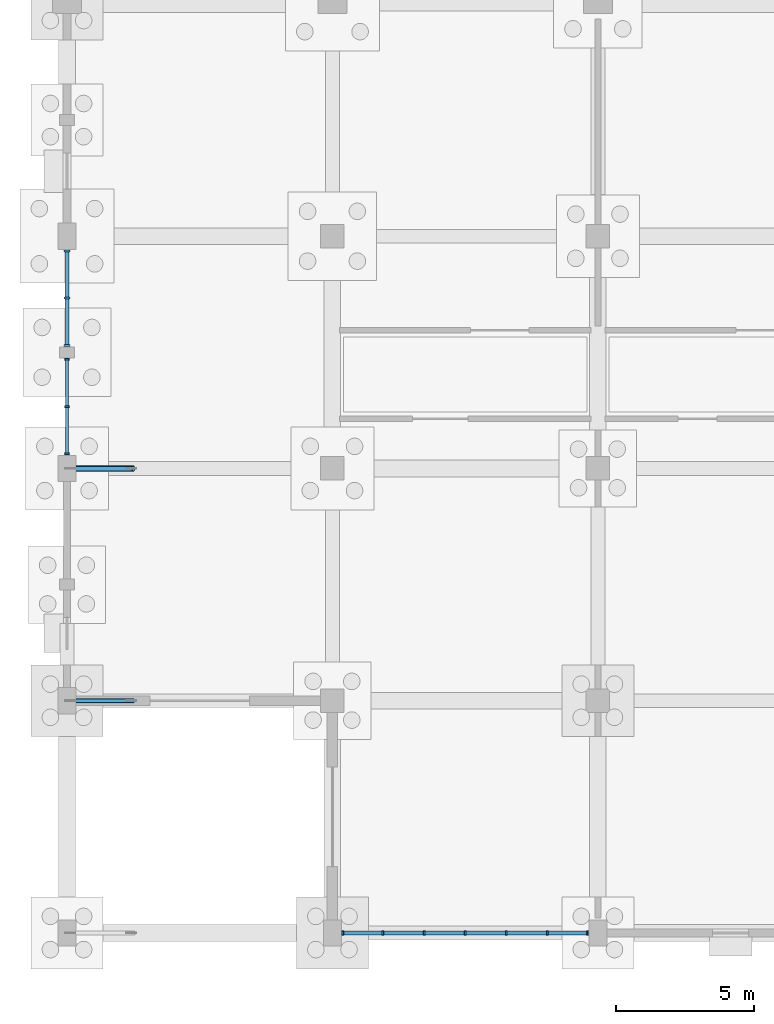
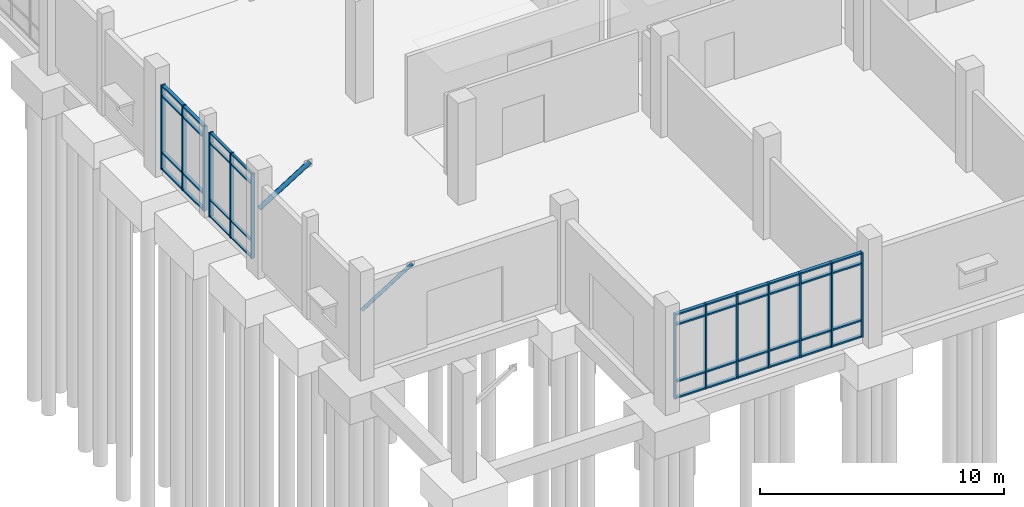
# One storey, part 27 of 136: 55 members, 3 elements without a shape of their own.
"""IFC4 building model written with IfcOpenShell, lengths in metres."""

from ifc_helpers import new_model, si_unit, direction, frame, origin, origin_2d, place, context, subcontext, project, spatial, rectangle, hollow_circle, extrude, material, material_profile, profile_set, type_object, element, aggregate, save


model = new_model("IFC4")

# Units and contexts
model_context = context("Model", 3, precision=1e-05, world=origin(), true_north=direction((0.0, 1.0)))
body_context = subcontext(model_context, "Body", "Model", "MODEL_VIEW")
ifc_project = project(units=[si_unit("LENGTHUNIT", "METRE"), si_unit("AREAUNIT", "SQUARE_METRE"), si_unit("VOLUMEUNIT", "CUBIC_METRE"), si_unit("PLANEANGLEUNIT", "RADIAN"), si_unit("MASSUNIT", "GRAM", prefix="KILO")], contexts=[model_context])

# Site, building, storey
site_placement = place(None, origin())
site = spatial("IfcSite", under=ifc_project, at=site_placement, CompositionType="ELEMENT")
building_placement = place(site_placement, origin())
building = spatial("IfcBuilding", under=site, at=building_placement, Name="Oolite Switchyard Hospital", CompositionType="ELEMENT")
storey_placement = place(building_placement, origin())
storey = spatial("IfcBuildingStorey", under=building, at=storey_placement, Name="L00", CompositionType="ELEMENT", Elevation=0.0)

# Curtain wall, members
ifc_material_1 = material(Name="Thermally broken aluminum frame with laminated impact glazing", Category="aluminium")
curtain_wall_type_1 = type_object("IfcCurtainWallType", Name="CW-UNIT-96X51", PredefinedType="USERDEFINED", material=ifc_material_1)
curtain_wall_1_placement = place(storey_placement, origin())
curtain_wall_1 = element("IfcCurtainWall", 1, at=curtain_wall_1_placement, inside=storey, type_object=curtain_wall_type_1, Name="L00 Unitised Curtain Wall 1", ObjectType="UNITISED", PredefinedType="USERDEFINED")
ifc_material_2 = material(Name="Aluminium 6063-T6", Category="aluminium")
ifc_material_profile_1 = material_profile(ifc_material_2, rectangle(XDim=0.179931640625, YDim=0.070068359375, at=origin_2d()), Name="CWM70X180")
ifc_profile_set_1 = profile_set([ifc_material_profile_1], Name="Aluminium 6063-T6")
member_type_1 = type_object("IfcMemberType", Name="CW-MUL-220", PredefinedType="MULLION", material=ifc_profile_set_1)
member_1_placement = place(storey_placement, frame((18.824951171875, 0.0, 0.0), z_axis=(0.0, 0.0, 1.0), x_axis=(0.0, -1.0, 0.0)))
member_1 = element("IfcMember", 2, at=member_1_placement, type_object=member_type_1, Name="CW-01 mullion 1", PredefinedType="MULLION", context=body_context, shape_type="SweptSolid", body=[
    extrude(rectangle(XDim=0.179931640625, YDim=0.070068359375, at=origin_2d()), origin(), (0.0, 0.0, 1.0), 4.239990234375),
])
member_2_placement = place(storey_placement, frame((17.373291015625, 0.0, 0.0), z_axis=(0.0, 0.0, 1.0), x_axis=(0.0, -1.0, 0.0)))
member_2 = element("IfcMember", 3, at=member_2_placement, type_object=member_type_1, Name="CW-01 mullion 2", PredefinedType="MULLION", context=body_context, shape_type="SweptSolid", body=[
    extrude(rectangle(XDim=0.179931640625, YDim=0.070068359375, at=origin_2d()), origin(), (0.0, 0.0, 1.0), 4.239990234375),
])
member_3_placement = place(storey_placement, frame((15.88671875, 0.0, 0.0), z_axis=(0.0, 0.0, 1.0), x_axis=(0.0, -1.0, 0.0)))
member_3 = element("IfcMember", 4, at=member_3_placement, type_object=member_type_1, Name="CW-01 mullion 3", PredefinedType="MULLION", context=body_context, shape_type="SweptSolid", body=[
    extrude(rectangle(XDim=0.179931640625, YDim=0.070068359375, at=origin_2d()), origin(), (0.0, 0.0, 1.0), 4.239990234375),
])
member_4_placement = place(storey_placement, frame((14.39990234375, 0.0, 0.0), z_axis=(0.0, 0.0, 1.0), x_axis=(0.0, -1.0, 0.0)))
member_4 = element("IfcMember", 5, at=member_4_placement, type_object=member_type_1, Name="CW-01 mullion 4", PredefinedType="MULLION", context=body_context, shape_type="SweptSolid", body=[
    extrude(rectangle(XDim=0.179931640625, YDim=0.070068359375, at=origin_2d()), origin(), (0.0, 0.0, 1.0), 4.239990234375),
])
member_5_placement = place(storey_placement, frame((12.913330078125, 0.0, 0.0), z_axis=(0.0, 0.0, 1.0), x_axis=(0.0, -1.0, 0.0)))
member_5 = element("IfcMember", 6, at=member_5_placement, type_object=member_type_1, Name="CW-01 mullion 5", PredefinedType="MULLION", context=body_context, shape_type="SweptSolid", body=[
    extrude(rectangle(XDim=0.179931640625, YDim=0.070068359375, at=origin_2d()), origin(), (0.0, 0.0, 1.0), 4.239990234375),
])
member_6_placement = place(storey_placement, frame((11.4267578125, 0.0, 0.0), z_axis=(0.0, 0.0, 1.0), x_axis=(0.0, -1.0, 0.0)))
member_6 = element("IfcMember", 7, at=member_6_placement, type_object=member_type_1, Name="CW-01 mullion 6", PredefinedType="MULLION", context=body_context, shape_type="SweptSolid", body=[
    extrude(rectangle(XDim=0.179931640625, YDim=0.070068359375, at=origin_2d()), origin(), (0.0, 0.0, 1.0), 4.239990234375),
])
member_7_placement = place(storey_placement, frame((9.97509765625, 0.0, 0.0), z_axis=(0.0, 0.0, 1.0), x_axis=(0.0, -1.0, 0.0)))
member_7 = element("IfcMember", 8, at=member_7_placement, type_object=member_type_1, Name="CW-01 mullion 7", PredefinedType="MULLION", context=body_context, shape_type="SweptSolid", body=[
    extrude(rectangle(XDim=0.179931640625, YDim=0.070068359375, at=origin_2d()), origin(), (0.0, 0.0, 1.0), 4.239990234375),
])

curtain_wall_type_2 = type_object("IfcCurtainWallType", Name="CW-UNIT-84X51", PredefinedType="USERDEFINED", material=ifc_material_1)
curtain_wall_2_placement = place(storey_placement, origin())
curtain_wall_2 = element("IfcCurtainWall", 9, at=curtain_wall_2_placement, inside=storey, type_object=curtain_wall_type_2, Name="L00 Unitised Curtain Wall 52", ObjectType="UNITISED", PredefinedType="USERDEFINED")
member_8_placement = place(storey_placement, frame((0.0, 17.324951171875, 0.0), z_axis=(0.0, 0.0, 1.0), x_axis=(-1.0, 0.0, 0.0)))
member_8 = element("IfcMember", 10, at=member_8_placement, type_object=member_type_1, Name="CW-06 mullion 1", PredefinedType="MULLION", context=body_context, shape_type="SweptSolid", body=[
    extrude(rectangle(XDim=0.179931640625, YDim=0.070068359375, at=origin_2d()), origin(), (0.0, 0.0, 1.0), 4.239990234375),
])
member_9_placement = place(storey_placement, frame((0.0, 19.03759765625, 0.0), z_axis=(0.0, 0.0, 1.0), x_axis=(-1.0, 0.0, 0.0)))
member_9 = element("IfcMember", 11, at=member_9_placement, type_object=member_type_1, Name="CW-06 mullion 2", PredefinedType="MULLION", context=body_context, shape_type="SweptSolid", body=[
    extrude(rectangle(XDim=0.179931640625, YDim=0.070068359375, at=origin_2d()), origin(), (0.0, 0.0, 1.0), 4.239990234375),
])
member_10_placement = place(storey_placement, frame((0.0, 20.75, 0.0), z_axis=(0.0, 0.0, 1.0), x_axis=(-1.0, 0.0, 0.0)))
member_10 = element("IfcMember", 12, at=member_10_placement, type_object=member_type_1, Name="CW-06 mullion 3", PredefinedType="MULLION", context=body_context, shape_type="SweptSolid", body=[
    extrude(rectangle(XDim=0.179931640625, YDim=0.070068359375, at=origin_2d()), origin(), (0.0, 0.0, 1.0), 4.239990234375),
])

curtain_wall_3_placement = place(storey_placement, origin())
curtain_wall_3 = element("IfcCurtainWall", 13, at=curtain_wall_3_placement, inside=storey, type_object=curtain_wall_type_2, Name="L00 Unitised Curtain Wall 53", ObjectType="UNITISED", PredefinedType="USERDEFINED")
ifc_material_profile_2 = material_profile(ifc_material_2, rectangle(XDim=0.199951171875, YDim=0.074951171875, at=origin_2d()), Name="CWM75X200")
ifc_profile_set_2 = profile_set([ifc_material_profile_2], Name="Aluminium 6063-T6")
member_type_2 = type_object("IfcMemberType", Name="CW-MUL-260", PredefinedType="MULLION", material=ifc_profile_set_2)
member_11_placement = place(storey_placement, frame((0.0, 21.25244140625, 0.0), z_axis=(0.0, 0.0, 1.0), x_axis=(-1.0, 0.0, 0.0)))
member_11 = element("IfcMember", 14, at=member_11_placement, type_object=member_type_2, Name="CW-06 mullion 1", PredefinedType="MULLION", context=body_context, shape_type="SweptSolid", body=[
    extrude(rectangle(XDim=0.199951171875, YDim=0.074951171875, at=origin_2d()), origin(), (0.0, 0.0, 1.0), 4.239990234375),
])
member_12_placement = place(storey_placement, frame((0.0, 22.96240234375, 0.0), z_axis=(0.0, 0.0, 1.0), x_axis=(-1.0, 0.0, 0.0)))
member_12 = element("IfcMember", 15, at=member_12_placement, type_object=member_type_2, Name="CW-06 mullion 2", PredefinedType="MULLION", context=body_context, shape_type="SweptSolid", body=[
    extrude(rectangle(XDim=0.199951171875, YDim=0.074951171875, at=origin_2d()), origin(), (0.0, 0.0, 1.0), 4.239990234375),
])
member_13_placement = place(storey_placement, frame((0.0, 24.672607421875, 0.0), z_axis=(0.0, 0.0, 1.0), x_axis=(-1.0, 0.0, 0.0)))
member_13 = element("IfcMember", 16, at=member_13_placement, type_object=member_type_2, Name="CW-06 mullion 3", PredefinedType="MULLION", context=body_context, shape_type="SweptSolid", body=[
    extrude(rectangle(XDim=0.199951171875, YDim=0.074951171875, at=origin_2d()), origin(), (0.0, 0.0, 1.0), 4.239990234375),
])

# Member
ifc_material_profile_3 = material_profile(ifc_material_2, rectangle(XDim=0.1201171875, YDim=0.06005859375, at=origin_2d()), Name="CWT60X120")
ifc_profile_set_3 = profile_set([ifc_material_profile_3], Name="Aluminium 6063-T6")
member_type_3 = type_object("IfcMemberType", Name="CW-TRN-150", PredefinedType="USERDEFINED", material=ifc_profile_set_3)
member_14_placement = place(storey_placement, frame((0.0, 17.360107421875, 0.030029296875), z_axis=(0.0, 1.0, 0.0), x_axis=(-1.0, 0.0, 0.0)))
member_14 = element("IfcMember", 17, at=member_14_placement, type_object=member_type_3, Name="CW-06 transom 1.1", ObjectType="TRANSOM", PredefinedType="USERDEFINED", context=body_context, shape_type="SweptSolid", body=[
    extrude(rectangle(XDim=0.1201171875, YDim=0.06005859375, at=origin_2d()), origin(), (0.0, 0.0, 1.0), 1.642333984375),
])

member_15_placement = place(storey_placement, frame((0.0, 17.360107421875, 0.85009765625), z_axis=(0.0, 1.0, 0.0), x_axis=(-1.0, 0.0, 0.0)))
member_15 = element("IfcMember", 18, at=member_15_placement, type_object=member_type_3, Name="CW-06 transom 1.2", ObjectType="TRANSOM", PredefinedType="USERDEFINED", context=body_context, shape_type="SweptSolid", body=[
    extrude(rectangle(XDim=0.1201171875, YDim=0.06005859375, at=origin_2d()), origin(), (0.0, 0.0, 1.0), 1.642333984375),
])

member_16_placement = place(storey_placement, frame((0.0, 17.360107421875, 3.68994140625), z_axis=(0.0, 1.0, 0.0), x_axis=(-1.0, 0.0, 0.0)))
member_16 = element("IfcMember", 19, at=member_16_placement, type_object=member_type_3, Name="CW-06 transom 1.3", ObjectType="TRANSOM", PredefinedType="USERDEFINED", context=body_context, shape_type="SweptSolid", body=[
    extrude(rectangle(XDim=0.1201171875, YDim=0.06005859375, at=origin_2d()), origin(), (0.0, 0.0, 1.0), 1.642333984375),
])

member_17_placement = place(storey_placement, frame((0.0, 17.360107421875, 4.2099609375), z_axis=(0.0, 1.0, 0.0), x_axis=(-1.0, 0.0, 0.0)))
member_17 = element("IfcMember", 20, at=member_17_placement, type_object=member_type_3, Name="CW-06 transom 1.4", ObjectType="TRANSOM", PredefinedType="USERDEFINED", context=body_context, shape_type="SweptSolid", body=[
    extrude(rectangle(XDim=0.1201171875, YDim=0.06005859375, at=origin_2d()), origin(), (0.0, 0.0, 1.0), 1.642333984375),
])

member_18_placement = place(storey_placement, frame((0.0, 19.072509765625, 0.030029296875), z_axis=(0.0, 1.0, 0.0), x_axis=(-1.0, 0.0, 0.0)))
member_18 = element("IfcMember", 21, at=member_18_placement, type_object=member_type_3, Name="CW-06 transom 2.1", ObjectType="TRANSOM", PredefinedType="USERDEFINED", context=body_context, shape_type="SweptSolid", body=[
    extrude(rectangle(XDim=0.1201171875, YDim=0.06005859375, at=origin_2d()), origin(), (0.0, 0.0, 1.0), 1.642578125),
])

member_19_placement = place(storey_placement, frame((0.0, 19.072509765625, 0.85009765625), z_axis=(0.0, 1.0, 0.0), x_axis=(-1.0, 0.0, 0.0)))
member_19 = element("IfcMember", 22, at=member_19_placement, type_object=member_type_3, Name="CW-06 transom 2.2", ObjectType="TRANSOM", PredefinedType="USERDEFINED", context=body_context, shape_type="SweptSolid", body=[
    extrude(rectangle(XDim=0.1201171875, YDim=0.06005859375, at=origin_2d()), origin(), (0.0, 0.0, 1.0), 1.642578125),
])

member_20_placement = place(storey_placement, frame((0.0, 19.072509765625, 3.68994140625), z_axis=(0.0, 1.0, 0.0), x_axis=(-1.0, 0.0, 0.0)))
member_20 = element("IfcMember", 23, at=member_20_placement, type_object=member_type_3, Name="CW-06 transom 2.3", ObjectType="TRANSOM", PredefinedType="USERDEFINED", context=body_context, shape_type="SweptSolid", body=[
    extrude(rectangle(XDim=0.1201171875, YDim=0.06005859375, at=origin_2d()), origin(), (0.0, 0.0, 1.0), 1.642578125),
])

member_21_placement = place(storey_placement, frame((0.0, 19.072509765625, 4.2099609375), z_axis=(0.0, 1.0, 0.0), x_axis=(-1.0, 0.0, 0.0)))
member_21 = element("IfcMember", 24, at=member_21_placement, type_object=member_type_3, Name="CW-06 transom 2.4", ObjectType="TRANSOM", PredefinedType="USERDEFINED", context=body_context, shape_type="SweptSolid", body=[
    extrude(rectangle(XDim=0.1201171875, YDim=0.06005859375, at=origin_2d()), origin(), (0.0, 0.0, 1.0), 1.642578125),
])

aggregate(curtain_wall_2, [member_8, member_9, member_10, member_14, member_15, member_16, member_17, member_18, member_19, member_20, member_21])

ifc_material_profile_4 = material_profile(ifc_material_2, rectangle(XDim=0.159912109375, YDim=0.074951171875, at=origin_2d()), Name="CWT75X160")
ifc_profile_set_4 = profile_set([ifc_material_profile_4], Name="Aluminium 6063-T6")
member_type_4 = type_object("IfcMemberType", Name="CW-TRN-180", PredefinedType="USERDEFINED", material=ifc_profile_set_4)
member_22_placement = place(storey_placement, frame((18.7900390625, 0.0, 0.03759765625), z_axis=(-1.0, 0.0, 0.0), x_axis=(0.0, -1.0, 0.0)))
member_22 = element("IfcMember", 25, at=member_22_placement, type_object=member_type_4, Name="CW-01 transom 1.1", ObjectType="TRANSOM", PredefinedType="USERDEFINED", context=body_context, shape_type="SweptSolid", body=[
    extrude(rectangle(XDim=0.159912109375, YDim=0.074951171875, at=origin_2d()), origin(), (0.0, 0.0, 1.0), 1.381591796875),
])

member_23_placement = place(storey_placement, frame((18.7900390625, 0.0, 0.85009765625), z_axis=(-1.0, 0.0, 0.0), x_axis=(0.0, -1.0, 0.0)))
member_23 = element("IfcMember", 26, at=member_23_placement, type_object=member_type_4, Name="CW-01 transom 1.2", ObjectType="TRANSOM", PredefinedType="USERDEFINED", context=body_context, shape_type="SweptSolid", body=[
    extrude(rectangle(XDim=0.159912109375, YDim=0.074951171875, at=origin_2d()), origin(), (0.0, 0.0, 1.0), 1.381591796875),
])

member_24_placement = place(storey_placement, frame((18.7900390625, 0.0, 3.68994140625), z_axis=(-1.0, 0.0, 0.0), x_axis=(0.0, -1.0, 0.0)))
member_24 = element("IfcMember", 27, at=member_24_placement, type_object=member_type_4, Name="CW-01 transom 1.3", ObjectType="TRANSOM", PredefinedType="USERDEFINED", context=body_context, shape_type="SweptSolid", body=[
    extrude(rectangle(XDim=0.159912109375, YDim=0.074951171875, at=origin_2d()), origin(), (0.0, 0.0, 1.0), 1.381591796875),
])

member_25_placement = place(storey_placement, frame((18.7900390625, 0.0, 4.202392578125), z_axis=(-1.0, 0.0, 0.0), x_axis=(0.0, -1.0, 0.0)))
member_25 = element("IfcMember", 28, at=member_25_placement, type_object=member_type_4, Name="CW-01 transom 1.4", ObjectType="TRANSOM", PredefinedType="USERDEFINED", context=body_context, shape_type="SweptSolid", body=[
    extrude(rectangle(XDim=0.159912109375, YDim=0.074951171875, at=origin_2d()), origin(), (0.0, 0.0, 1.0), 1.381591796875),
])

member_26_placement = place(storey_placement, frame((17.33837890625, 0.0, 0.03759765625), z_axis=(-1.0, 0.0, 0.0), x_axis=(0.0, -1.0, 0.0)))
member_26 = element("IfcMember", 29, at=member_26_placement, type_object=member_type_4, Name="CW-01 transom 2.1", ObjectType="TRANSOM", PredefinedType="USERDEFINED", context=body_context, shape_type="SweptSolid", body=[
    extrude(rectangle(XDim=0.159912109375, YDim=0.074951171875, at=origin_2d()), origin(), (0.0, 0.0, 1.0), 1.416748046875),
])

member_27_placement = place(storey_placement, frame((17.33837890625, 0.0, 0.85009765625), z_axis=(-1.0, 0.0, 0.0), x_axis=(0.0, -1.0, 0.0)))
member_27 = element("IfcMember", 30, at=member_27_placement, type_object=member_type_4, Name="CW-01 transom 2.2", ObjectType="TRANSOM", PredefinedType="USERDEFINED", context=body_context, shape_type="SweptSolid", body=[
    extrude(rectangle(XDim=0.159912109375, YDim=0.074951171875, at=origin_2d()), origin(), (0.0, 0.0, 1.0), 1.416748046875),
])

member_28_placement = place(storey_placement, frame((17.33837890625, 0.0, 3.68994140625), z_axis=(-1.0, 0.0, 0.0), x_axis=(0.0, -1.0, 0.0)))
member_28 = element("IfcMember", 31, at=member_28_placement, type_object=member_type_4, Name="CW-01 transom 2.3", ObjectType="TRANSOM", PredefinedType="USERDEFINED", context=body_context, shape_type="SweptSolid", body=[
    extrude(rectangle(XDim=0.159912109375, YDim=0.074951171875, at=origin_2d()), origin(), (0.0, 0.0, 1.0), 1.416748046875),
])

member_29_placement = place(storey_placement, frame((17.33837890625, 0.0, 4.202392578125), z_axis=(-1.0, 0.0, 0.0), x_axis=(0.0, -1.0, 0.0)))
member_29 = element("IfcMember", 32, at=member_29_placement, type_object=member_type_4, Name="CW-01 transom 2.4", ObjectType="TRANSOM", PredefinedType="USERDEFINED", context=body_context, shape_type="SweptSolid", body=[
    extrude(rectangle(XDim=0.159912109375, YDim=0.074951171875, at=origin_2d()), origin(), (0.0, 0.0, 1.0), 1.416748046875),
])

member_30_placement = place(storey_placement, frame((15.8515625, 0.0, 0.03759765625), z_axis=(-1.0, 0.0, 0.0), x_axis=(0.0, -1.0, 0.0)))
member_30 = element("IfcMember", 33, at=member_30_placement, type_object=member_type_4, Name="CW-01 transom 3.1", ObjectType="TRANSOM", PredefinedType="USERDEFINED", context=body_context, shape_type="SweptSolid", body=[
    extrude(rectangle(XDim=0.159912109375, YDim=0.074951171875, at=origin_2d()), origin(), (0.0, 0.0, 1.0), 1.41650390625),
])

member_31_placement = place(storey_placement, frame((15.8515625, 0.0, 0.85009765625), z_axis=(-1.0, 0.0, 0.0), x_axis=(0.0, -1.0, 0.0)))
member_31 = element("IfcMember", 34, at=member_31_placement, type_object=member_type_4, Name="CW-01 transom 3.2", ObjectType="TRANSOM", PredefinedType="USERDEFINED", context=body_context, shape_type="SweptSolid", body=[
    extrude(rectangle(XDim=0.159912109375, YDim=0.074951171875, at=origin_2d()), origin(), (0.0, 0.0, 1.0), 1.41650390625),
])

member_32_placement = place(storey_placement, frame((15.8515625, 0.0, 3.68994140625), z_axis=(-1.0, 0.0, 0.0), x_axis=(0.0, -1.0, 0.0)))
member_32 = element("IfcMember", 35, at=member_32_placement, type_object=member_type_4, Name="CW-01 transom 3.3", ObjectType="TRANSOM", PredefinedType="USERDEFINED", context=body_context, shape_type="SweptSolid", body=[
    extrude(rectangle(XDim=0.159912109375, YDim=0.074951171875, at=origin_2d()), origin(), (0.0, 0.0, 1.0), 1.41650390625),
])

member_33_placement = place(storey_placement, frame((15.8515625, 0.0, 4.202392578125), z_axis=(-1.0, 0.0, 0.0), x_axis=(0.0, -1.0, 0.0)))
member_33 = element("IfcMember", 36, at=member_33_placement, type_object=member_type_4, Name="CW-01 transom 3.4", ObjectType="TRANSOM", PredefinedType="USERDEFINED", context=body_context, shape_type="SweptSolid", body=[
    extrude(rectangle(XDim=0.159912109375, YDim=0.074951171875, at=origin_2d()), origin(), (0.0, 0.0, 1.0), 1.41650390625),
])

member_34_placement = place(storey_placement, frame((14.364990234375, 0.0, 0.03759765625), z_axis=(-1.0, 0.0, 0.0), x_axis=(0.0, -1.0, 0.0)))
member_34 = element("IfcMember", 37, at=member_34_placement, type_object=member_type_4, Name="CW-01 transom 4.1", ObjectType="TRANSOM", PredefinedType="USERDEFINED", context=body_context, shape_type="SweptSolid", body=[
    extrude(rectangle(XDim=0.159912109375, YDim=0.074951171875, at=origin_2d()), origin(), (0.0, 0.0, 1.0), 1.416748046875),
])

member_35_placement = place(storey_placement, frame((14.364990234375, 0.0, 0.85009765625), z_axis=(-1.0, 0.0, 0.0), x_axis=(0.0, -1.0, 0.0)))
member_35 = element("IfcMember", 38, at=member_35_placement, type_object=member_type_4, Name="CW-01 transom 4.2", ObjectType="TRANSOM", PredefinedType="USERDEFINED", context=body_context, shape_type="SweptSolid", body=[
    extrude(rectangle(XDim=0.159912109375, YDim=0.074951171875, at=origin_2d()), origin(), (0.0, 0.0, 1.0), 1.416748046875),
])

member_36_placement = place(storey_placement, frame((14.364990234375, 0.0, 3.68994140625), z_axis=(-1.0, 0.0, 0.0), x_axis=(0.0, -1.0, 0.0)))
member_36 = element("IfcMember", 39, at=member_36_placement, type_object=member_type_4, Name="CW-01 transom 4.3", ObjectType="TRANSOM", PredefinedType="USERDEFINED", context=body_context, shape_type="SweptSolid", body=[
    extrude(rectangle(XDim=0.159912109375, YDim=0.074951171875, at=origin_2d()), origin(), (0.0, 0.0, 1.0), 1.416748046875),
])

member_37_placement = place(storey_placement, frame((14.364990234375, 0.0, 4.202392578125), z_axis=(-1.0, 0.0, 0.0), x_axis=(0.0, -1.0, 0.0)))
member_37 = element("IfcMember", 40, at=member_37_placement, type_object=member_type_4, Name="CW-01 transom 4.4", ObjectType="TRANSOM", PredefinedType="USERDEFINED", context=body_context, shape_type="SweptSolid", body=[
    extrude(rectangle(XDim=0.159912109375, YDim=0.074951171875, at=origin_2d()), origin(), (0.0, 0.0, 1.0), 1.416748046875),
])

member_38_placement = place(storey_placement, frame((12.87841796875, 0.0, 0.03759765625), z_axis=(-1.0, 0.0, 0.0), x_axis=(0.0, -1.0, 0.0)))
member_38 = element("IfcMember", 41, at=member_38_placement, type_object=member_type_4, Name="CW-01 transom 5.1", ObjectType="TRANSOM", PredefinedType="USERDEFINED", context=body_context, shape_type="SweptSolid", body=[
    extrude(rectangle(XDim=0.159912109375, YDim=0.074951171875, at=origin_2d()), origin(), (0.0, 0.0, 1.0), 1.416748046875),
])

member_39_placement = place(storey_placement, frame((12.87841796875, 0.0, 0.85009765625), z_axis=(-1.0, 0.0, 0.0), x_axis=(0.0, -1.0, 0.0)))
member_39 = element("IfcMember", 42, at=member_39_placement, type_object=member_type_4, Name="CW-01 transom 5.2", ObjectType="TRANSOM", PredefinedType="USERDEFINED", context=body_context, shape_type="SweptSolid", body=[
    extrude(rectangle(XDim=0.159912109375, YDim=0.074951171875, at=origin_2d()), origin(), (0.0, 0.0, 1.0), 1.416748046875),
])

member_40_placement = place(storey_placement, frame((12.87841796875, 0.0, 3.68994140625), z_axis=(-1.0, 0.0, 0.0), x_axis=(0.0, -1.0, 0.0)))
member_40 = element("IfcMember", 43, at=member_40_placement, type_object=member_type_4, Name="CW-01 transom 5.3", ObjectType="TRANSOM", PredefinedType="USERDEFINED", context=body_context, shape_type="SweptSolid", body=[
    extrude(rectangle(XDim=0.159912109375, YDim=0.074951171875, at=origin_2d()), origin(), (0.0, 0.0, 1.0), 1.416748046875),
])

member_41_placement = place(storey_placement, frame((12.87841796875, 0.0, 4.202392578125), z_axis=(-1.0, 0.0, 0.0), x_axis=(0.0, -1.0, 0.0)))
member_41 = element("IfcMember", 44, at=member_41_placement, type_object=member_type_4, Name="CW-01 transom 5.4", ObjectType="TRANSOM", PredefinedType="USERDEFINED", context=body_context, shape_type="SweptSolid", body=[
    extrude(rectangle(XDim=0.159912109375, YDim=0.074951171875, at=origin_2d()), origin(), (0.0, 0.0, 1.0), 1.416748046875),
])

member_42_placement = place(storey_placement, frame((11.3916015625, 0.0, 0.03759765625), z_axis=(-1.0, 0.0, 0.0), x_axis=(0.0, -1.0, 0.0)))
member_42 = element("IfcMember", 45, at=member_42_placement, type_object=member_type_4, Name="CW-01 transom 6.1", ObjectType="TRANSOM", PredefinedType="USERDEFINED", context=body_context, shape_type="SweptSolid", body=[
    extrude(rectangle(XDim=0.159912109375, YDim=0.074951171875, at=origin_2d()), origin(), (0.0, 0.0, 1.0), 1.381591796875),
])

member_43_placement = place(storey_placement, frame((11.3916015625, 0.0, 0.85009765625), z_axis=(-1.0, 0.0, 0.0), x_axis=(0.0, -1.0, 0.0)))
member_43 = element("IfcMember", 46, at=member_43_placement, type_object=member_type_4, Name="CW-01 transom 6.2", ObjectType="TRANSOM", PredefinedType="USERDEFINED", context=body_context, shape_type="SweptSolid", body=[
    extrude(rectangle(XDim=0.159912109375, YDim=0.074951171875, at=origin_2d()), origin(), (0.0, 0.0, 1.0), 1.381591796875),
])

member_44_placement = place(storey_placement, frame((11.3916015625, 0.0, 3.68994140625), z_axis=(-1.0, 0.0, 0.0), x_axis=(0.0, -1.0, 0.0)))
member_44 = element("IfcMember", 47, at=member_44_placement, type_object=member_type_4, Name="CW-01 transom 6.3", ObjectType="TRANSOM", PredefinedType="USERDEFINED", context=body_context, shape_type="SweptSolid", body=[
    extrude(rectangle(XDim=0.159912109375, YDim=0.074951171875, at=origin_2d()), origin(), (0.0, 0.0, 1.0), 1.381591796875),
])

member_45_placement = place(storey_placement, frame((11.3916015625, 0.0, 4.202392578125), z_axis=(-1.0, 0.0, 0.0), x_axis=(0.0, -1.0, 0.0)))
member_45 = element("IfcMember", 48, at=member_45_placement, type_object=member_type_4, Name="CW-01 transom 6.4", ObjectType="TRANSOM", PredefinedType="USERDEFINED", context=body_context, shape_type="SweptSolid", body=[
    extrude(rectangle(XDim=0.159912109375, YDim=0.074951171875, at=origin_2d()), origin(), (0.0, 0.0, 1.0), 1.381591796875),
])

aggregate(curtain_wall_1, [member_1, member_2, member_3, member_4, member_5, member_6, member_7, member_22, member_23, member_24, member_25, member_26, member_27, member_28, member_29, member_30, member_31, member_32, member_33, member_34, member_35, member_36, member_37, member_38, member_39, member_40, member_41, member_42, member_43, member_44, member_45])

member_46_placement = place(storey_placement, frame((0.0, 21.2900390625, 0.03759765625), z_axis=(0.0, 1.0, 0.0), x_axis=(-1.0, 0.0, 0.0)))
member_46 = element("IfcMember", 49, at=member_46_placement, type_object=member_type_4, Name="CW-06 transom 1.1", ObjectType="TRANSOM", PredefinedType="USERDEFINED", context=body_context, shape_type="SweptSolid", body=[
    extrude(rectangle(XDim=0.159912109375, YDim=0.074951171875, at=origin_2d()), origin(), (0.0, 0.0, 1.0), 1.635009765625),
])

member_47_placement = place(storey_placement, frame((0.0, 21.2900390625, 0.85009765625), z_axis=(0.0, 1.0, 0.0), x_axis=(-1.0, 0.0, 0.0)))
member_47 = element("IfcMember", 50, at=member_47_placement, type_object=member_type_4, Name="CW-06 transom 1.2", ObjectType="TRANSOM", PredefinedType="USERDEFINED", context=body_context, shape_type="SweptSolid", body=[
    extrude(rectangle(XDim=0.159912109375, YDim=0.074951171875, at=origin_2d()), origin(), (0.0, 0.0, 1.0), 1.635009765625),
])

member_48_placement = place(storey_placement, frame((0.0, 21.2900390625, 3.68994140625), z_axis=(0.0, 1.0, 0.0), x_axis=(-1.0, 0.0, 0.0)))
member_48 = element("IfcMember", 51, at=member_48_placement, type_object=member_type_4, Name="CW-06 transom 1.3", ObjectType="TRANSOM", PredefinedType="USERDEFINED", context=body_context, shape_type="SweptSolid", body=[
    extrude(rectangle(XDim=0.159912109375, YDim=0.074951171875, at=origin_2d()), origin(), (0.0, 0.0, 1.0), 1.635009765625),
])

member_49_placement = place(storey_placement, frame((0.0, 21.2900390625, 4.202392578125), z_axis=(0.0, 1.0, 0.0), x_axis=(-1.0, 0.0, 0.0)))
member_49 = element("IfcMember", 52, at=member_49_placement, type_object=member_type_4, Name="CW-06 transom 1.4", ObjectType="TRANSOM", PredefinedType="USERDEFINED", context=body_context, shape_type="SweptSolid", body=[
    extrude(rectangle(XDim=0.159912109375, YDim=0.074951171875, at=origin_2d()), origin(), (0.0, 0.0, 1.0), 1.635009765625),
])

member_50_placement = place(storey_placement, frame((0.0, 23.0, 0.03759765625), z_axis=(0.0, 1.0, 0.0), x_axis=(-1.0, 0.0, 0.0)))
member_50 = element("IfcMember", 53, at=member_50_placement, type_object=member_type_4, Name="CW-06 transom 2.1", ObjectType="TRANSOM", PredefinedType="USERDEFINED", context=body_context, shape_type="SweptSolid", body=[
    extrude(rectangle(XDim=0.159912109375, YDim=0.074951171875, at=origin_2d()), origin(), (0.0, 0.0, 1.0), 1.635009765625),
])

member_51_placement = place(storey_placement, frame((0.0, 23.0, 0.85009765625), z_axis=(0.0, 1.0, 0.0), x_axis=(-1.0, 0.0, 0.0)))
member_51 = element("IfcMember", 54, at=member_51_placement, type_object=member_type_4, Name="CW-06 transom 2.2", ObjectType="TRANSOM", PredefinedType="USERDEFINED", context=body_context, shape_type="SweptSolid", body=[
    extrude(rectangle(XDim=0.159912109375, YDim=0.074951171875, at=origin_2d()), origin(), (0.0, 0.0, 1.0), 1.635009765625),
])

member_52_placement = place(storey_placement, frame((0.0, 23.0, 3.68994140625), z_axis=(0.0, 1.0, 0.0), x_axis=(-1.0, 0.0, 0.0)))
member_52 = element("IfcMember", 55, at=member_52_placement, type_object=member_type_4, Name="CW-06 transom 2.3", ObjectType="TRANSOM", PredefinedType="USERDEFINED", context=body_context, shape_type="SweptSolid", body=[
    extrude(rectangle(XDim=0.159912109375, YDim=0.074951171875, at=origin_2d()), origin(), (0.0, 0.0, 1.0), 1.635009765625),
])

member_53_placement = place(storey_placement, frame((0.0, 23.0, 4.202392578125), z_axis=(0.0, 1.0, 0.0), x_axis=(-1.0, 0.0, 0.0)))
member_53 = element("IfcMember", 56, at=member_53_placement, type_object=member_type_4, Name="CW-06 transom 2.4", ObjectType="TRANSOM", PredefinedType="USERDEFINED", context=body_context, shape_type="SweptSolid", body=[
    extrude(rectangle(XDim=0.159912109375, YDim=0.074951171875, at=origin_2d()), origin(), (0.0, 0.0, 1.0), 1.635009765625),
])

aggregate(curtain_wall_3, [member_11, member_12, member_13, member_46, member_47, member_48, member_49, member_50, member_51, member_52, member_53])

# Members
ifc_material_3 = material(Name="Steel ASTM A500 Grade C", Category="steel")
ifc_material_profile_5 = material_profile(ifc_material_3, hollow_circle(Radius=0.083984375, WallThickness=0.010009765625, at=origin_2d()), Name="HSS168X10")
ifc_profile_set_5 = profile_set([ifc_material_profile_5], Name="Steel ASTM A500 Grade C")
member_type_5 = type_object("IfcMemberType", Name="MEM-ST-CHS168", PredefinedType="STRUT", material=ifc_profile_set_5)
member_54_placement = place(storey_placement, frame((0.0, 8.39990234375, 2.800048828125), z_axis=(0.847988611125, 0.0, 0.530014448296), x_axis=(0.0, 1.0, 0.0)))
element("IfcMember", 57, at=member_54_placement, inside=storey, type_object=member_type_5, Name="L00 Ambulance Canopy Strut 2", PredefinedType="STRUT", context=body_context, shape_type="SweptSolid", body=[
    extrude(hollow_circle(Radius=0.083984375, WallThickness=0.010009765625, at=origin_2d()), origin(), (0.0, 0.0, 1.0), 2.830078125),
])
ifc_material_profile_6 = material_profile(ifc_material_3, hollow_circle(Radius=0.109619140625, WallThickness=0.012939453125, at=origin_2d()), Name="HSS219X13")
ifc_profile_set_6 = profile_set([ifc_material_profile_6], Name="Steel ASTM A500 Grade C")
member_type_6 = type_object("IfcMemberType", Name="MEM-ST-CHS219", PredefinedType="STRUT", material=ifc_profile_set_6)
member_55_placement = place(storey_placement, frame((0.0, 16.800048828125, 2.800048828125), z_axis=(0.847988611125, 0.0, 0.530014448296), x_axis=(0.0, 1.0, 0.0)))
element("IfcMember", 58, at=member_55_placement, inside=storey, type_object=member_type_6, Name="L00 Ambulance Canopy Strut 3", PredefinedType="STRUT", context=body_context, shape_type="SweptSolid", body=[
    extrude(hollow_circle(Radius=0.109619140625, WallThickness=0.012939453125, at=origin_2d()), origin(), (0.0, 0.0, 1.0), 2.830078125),
])

save(model, "model.ifc")
